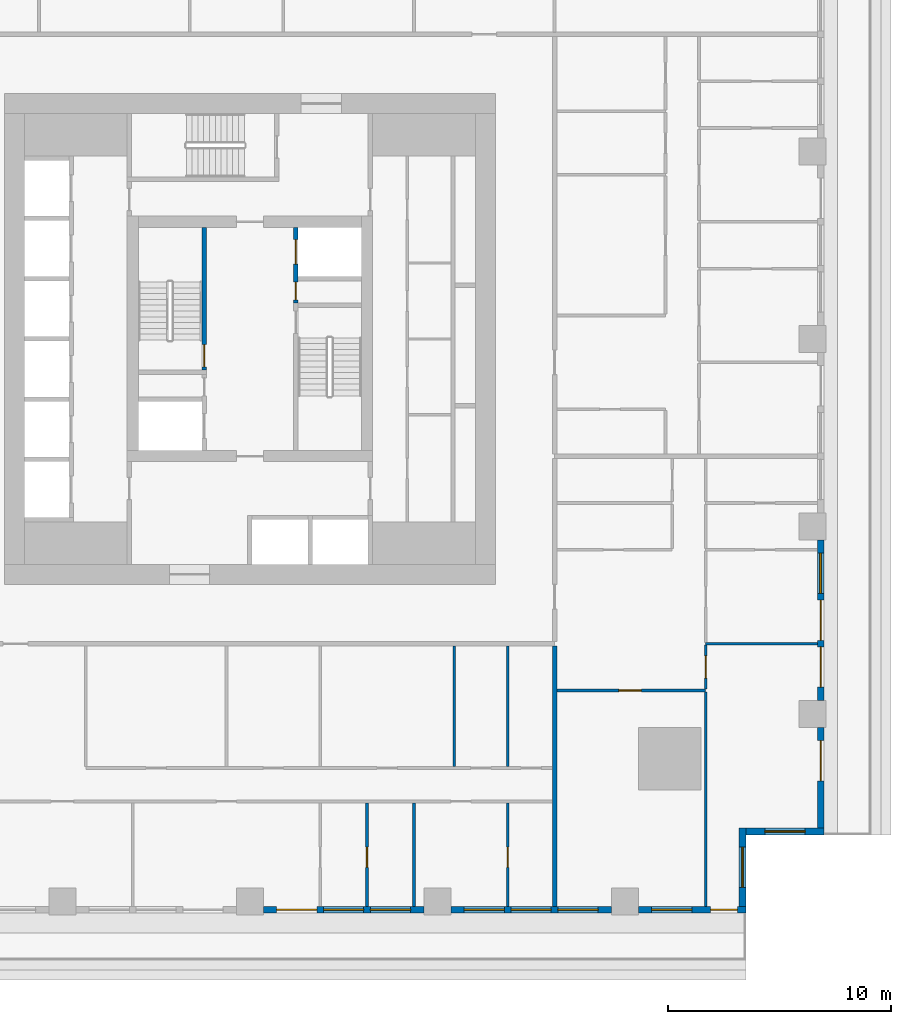
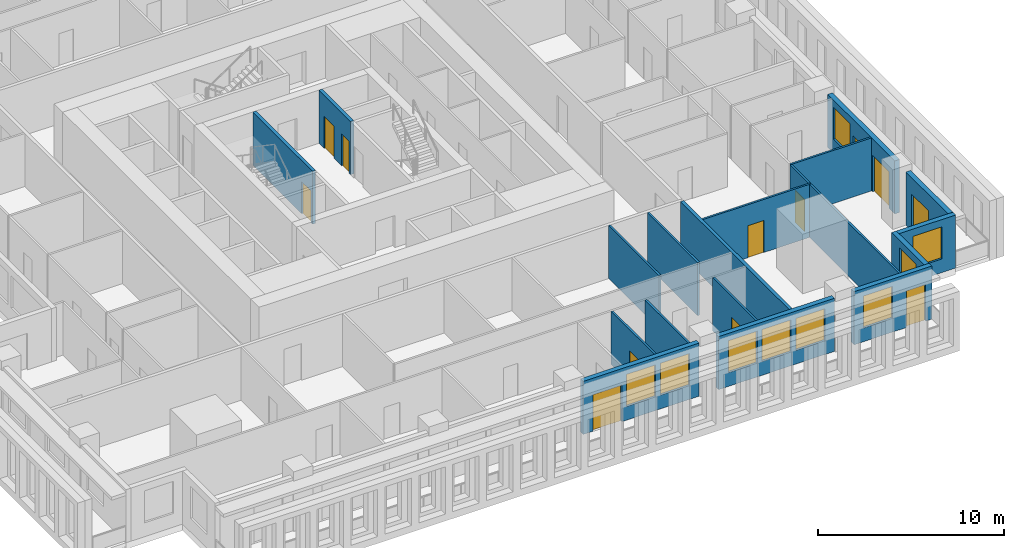
# One storey, part 4 of 14: 19 walls, 12 doors, 9 windows, 21 openings.
"""IFC4 building model written with IfcOpenShell, lengths in metres."""

from ifc_helpers import new_model, si_unit, direction, frame, frame_2d, origin, place, context, subcontext, project, spatial, rectangle, extrude, material, layer, layer_set, type_object, element, fill, save


model = new_model("IFC4")

# Units and contexts
model_context = context("Model", 3, precision=1e-05, world=origin(), true_north=direction((0.0, 1.0)))
body_context = subcontext(model_context, "Body", "Model", "MODEL_VIEW")
ifc_project = project(units=[si_unit("LENGTHUNIT", "METRE"), si_unit("AREAUNIT", "SQUARE_METRE"), si_unit("VOLUMEUNIT", "CUBIC_METRE"), si_unit("PLANEANGLEUNIT", "RADIAN"), si_unit("MASSUNIT", "GRAM", prefix="KILO")], contexts=[model_context])

# Site, building, storey
site_placement = place(None, origin())
site = spatial("IfcSite", under=ifc_project, at=site_placement, CompositionType="ELEMENT")
building_placement = place(site_placement, origin())
building = spatial("IfcBuilding", under=site, at=building_placement, Name="Khepri Terraces", CompositionType="ELEMENT")
storey_placement = place(building_placement, frame((0.0, 0.0, 87.0)))
storey = spatial("IfcBuildingStorey", under=building, at=storey_placement, Name="L20", CompositionType="ELEMENT", Elevation=87.0)

# Wall, opening, door
ifc_material_1 = material(Name="Concrete C70/85", Category="concrete")
ifc_layer_1 = layer(ifc_material_1, 0.199951171875, Name="Concrete C70/85", Category="concrete")
ifc_layer_set_1 = layer_set([ifc_layer_1], Name="Concrete C70/85")
wall_type_1 = type_object("IfcWallType", Name="Core wall 200 C70/85", PredefinedType="SHEAR", material=ifc_layer_set_1)
wall_1_placement = place(storey_placement, frame((-2.050048828125, -1.39990234375, 0.0), z_axis=(0.0, 0.0, 1.0), x_axis=(0.0, 1.0, 0.0)))
wall_1 = element("IfcWall", 1, at=wall_1_placement, inside=storey, type_object=wall_type_1, Name="Core wall ST03 L20", PredefinedType="SHEAR", context=body_context, shape_type="SweptSolid", body=[
    extrude(rectangle(XDim=6.39990234375, YDim=0.199951171875, at=frame_2d((3.199951171875, 0.0))), origin(), (0.0, 0.0, 1.0), 3.47998046875),
])
opening_1_placement = place(wall_1_placement, frame((0.14990234375, 0.0, 0.0)))
opening_1 = element("IfcOpeningElement", 2, at=opening_1_placement, cuts=wall_1, Name="Opening L20-C09", PredefinedType="OPENING", context=body_context, shape_type="SweptSolid", body=[
    extrude(rectangle(XDim=1.0, YDim=2.10009765625, at=frame_2d((0.5, 1.050048828125))), frame((0.0, 0.10986328125, 0.0), z_axis=(0.0, -1.0, 0.0), x_axis=(1.0, 0.0, 0.0)), (0.0, 0.0, 1.0), 0.219970703125),
])
ifc_material_2 = material(Name="Painted steel", Category="steel")
door_type_1 = type_object("IfcDoorType", Name="DR-CORE-STAIR-1000", OperationType="NOTDEFINED", PredefinedType="DOOR", material=ifc_material_2)
door_1_placement = place(opening_1_placement, origin())
door_1 = element("IfcDoor", 3, at=door_1_placement, inside=storey, type_object=door_type_1, Name="Stair door L20-C09", OperationType="SINGLE_SWING_LEFT", OverallHeight=2.10009765625, OverallWidth=1.0, PredefinedType="DOOR", context=body_context, shape_type="SweptSolid", body=[
    extrude(rectangle(XDim=1.0, YDim=2.10009765625, at=frame_2d((0.5, 1.050048828125))), frame((0.0, 0.02490234375, 0.0), z_axis=(0.0, -1.0, 0.0), x_axis=(1.0, 0.0, 0.0)), (0.0, 0.0, 1.0), 0.050048828125),
])
fill(opening_1, door_1)

# Wall, openings, doors
wall_2_placement = place(storey_placement, frame((2.050048828125, 1.60009765625, 0.0), z_axis=(0.0, 0.0, 1.0), x_axis=(0.0, 1.0, 0.0)))
wall_2 = element("IfcWall", 4, at=wall_2_placement, inside=storey, type_object=wall_type_1, Name="Core wall SH15 L20", PredefinedType="SHEAR", context=body_context, shape_type="SweptSolid", body=[
    extrude(rectangle(XDim=3.39990234375, YDim=0.199951171875, at=frame_2d((1.699951171875, 0.0))), origin(), (0.0, 0.0, 1.0), 3.47998046875),
])
opening_2_placement = place(wall_2_placement, frame((1.75, 0.0, 0.0)))
opening_2 = element("IfcOpeningElement", 5, at=opening_2_placement, cuts=wall_2, Name="Opening L20-C07", PredefinedType="OPENING", context=body_context, shape_type="SweptSolid", body=[
    extrude(rectangle(XDim=1.10009765625, YDim=2.10009765625, at=frame_2d((0.550048828125, 1.050048828125))), frame((0.0, 0.10986328125, 0.0), z_axis=(0.0, -1.0, 0.0), x_axis=(1.0, 0.0, 0.0)), (0.0, 0.0, 1.0), 0.219970703125),
])
opening_3_placement = place(wall_2_placement, frame((0.14990234375, 0.0, 0.0)))
opening_3 = element("IfcOpeningElement", 6, at=opening_3_placement, cuts=wall_2, Name="Opening L20-C11", PredefinedType="OPENING", context=body_context, shape_type="SweptSolid", body=[
    extrude(rectangle(XDim=0.800048828125, YDim=2.10009765625, at=frame_2d((0.39990234375, 1.050048828125))), frame((0.0, 0.10986328125, 0.0), z_axis=(0.0, -1.0, 0.0), x_axis=(1.0, 0.0, 0.0)), (0.0, 0.0, 1.0), 0.219970703125),
])
ifc_material_3 = material(Name="Stainless steel 304", Category="steel")
door_type_2 = type_object("IfcDoorType", Name="DR-CORE-FF-LANDING-1100", OperationType="NOTDEFINED", PredefinedType="DOOR", material=ifc_material_3)
door_2_placement = place(opening_2_placement, origin())
door_2 = element("IfcDoor", 7, at=door_2_placement, inside=storey, type_object=door_type_2, Name="Firefighting lift landing door L20-C07", OperationType="SLIDING_TO_LEFT", OverallHeight=2.10009765625, OverallWidth=1.10009765625, PredefinedType="DOOR", context=body_context, shape_type="SweptSolid", body=[
    extrude(rectangle(XDim=1.10009765625, YDim=2.10009765625, at=frame_2d((0.550048828125, 1.050048828125))), frame((0.0, 0.02490234375, 0.0), z_axis=(0.0, -1.0, 0.0), x_axis=(1.0, 0.0, 0.0)), (0.0, 0.0, 1.0), 0.050048828125),
])
fill(opening_2, door_2)
door_type_3 = type_object("IfcDoorType", Name="DR-CORE-RISER-800", OperationType="NOTDEFINED", PredefinedType="DOOR", material=ifc_material_2)
door_3_placement = place(opening_3_placement, frame((0.800048828125, 0.0, 0.0), z_axis=(0.0, 0.0, 1.0), x_axis=(-1.0, 0.0, 0.0)))
door_3 = element("IfcDoor", 8, at=door_3_placement, inside=storey, type_object=door_type_3, Name="Riser door L20-C11", OperationType="SINGLE_SWING_RIGHT", OverallHeight=2.10009765625, OverallWidth=0.800048828125, PredefinedType="DOOR", context=body_context, shape_type="SweptSolid", body=[
    extrude(rectangle(XDim=0.800048828125, YDim=2.10009765625, at=frame_2d((0.39990234375, 1.050048828125))), frame((0.0, 0.02490234375, 0.0), z_axis=(0.0, -1.0, 0.0), x_axis=(1.0, 0.0, 0.0)), (0.0, 0.0, 1.0), 0.050048828125),
])
fill(opening_3, door_3)

# Wall
ifc_material_4 = material(Name="Fire-rated gypsum plasterboard partition, mineral wool")
ifc_layer_2 = layer(ifc_material_4, 0.199951171875, Name="Fire-rated gypsum plasterboard partition, mineral wool")
ifc_layer_set_2 = layer_set([ifc_layer_2], Name="Fire-rated gypsum plasterboard partition, mineral wool")
wall_type_2 = type_object("IfcWallType", Name="WL-CORR-200", PredefinedType="PARTITIONING", material=ifc_layer_set_2)
wall_3_placement = place(storey_placement, frame((13.64990234375, -25.419921875, 0.0), z_axis=(0.0, 0.0, 1.0), x_axis=(0.0, 1.0, 0.0)))
element("IfcWall", 9, at=wall_3_placement, inside=storey, type_object=wall_type_2, Name="Partition P-007 L20", PredefinedType="PARTITIONING", context=body_context, shape_type="SweptSolid", body=[
    extrude(rectangle(XDim=11.669921875, YDim=0.199951171875, at=frame_2d((5.8349609375, 0.0))), origin(), (0.0, 0.0, 1.0), 3.47998046875),
])

# Wall, opening, window
ifc_material_5 = material(Name="Precast concrete C50/60 warm stone", Category="masonry")
ifc_layer_3 = layer(ifc_material_5, 0.300048828125, Name="Precast concrete C50/60 warm stone", Category="masonry")
ifc_layer_set_3 = layer_set([ifc_layer_3], Name="Precast concrete C50/60 warm stone")
wall_type_3 = type_object("IfcWallType", Name="WL-EXT-PRECAST-300", PredefinedType="STANDARD", material=ifc_layer_set_3)
wall_4_placement = place(storey_placement, frame((22.219970703125, -22.070068359375, 0.0), z_axis=(0.0, 0.0, 1.0), x_axis=(1.0, 0.0, 0.0)))
wall_4 = element("IfcWall", 10, at=wall_4_placement, inside=storey, type_object=wall_type_3, Name="External wall L20 S", PredefinedType="STANDARD", context=body_context, shape_type="SweptSolid", body=[
    extrude(rectangle(XDim=3.5, YDim=0.300048828125, at=frame_2d((1.75, 0.0))), origin(), (0.0, 0.0, 1.0), 3.47998046875),
])
opening_4_placement = place(wall_4_placement, frame((0.85009765625, 0.0, 0.89990234375)))
opening_4 = element("IfcOpeningElement", 11, at=opening_4_placement, cuts=wall_4, Name="Opening W1", PredefinedType="OPENING", context=body_context, shape_type="SweptSolid", body=[
    extrude(rectangle(XDim=1.800048828125, YDim=2.10009765625, at=frame_2d((0.89990234375, 1.050048828125))), frame((0.0, 0.16015625, 0.0), z_axis=(0.0, -1.0, 0.0), x_axis=(1.0, 0.0, 0.0)), (0.0, 0.0, 1.0), 0.320068359375),
])
ifc_material_6 = material(Name="Clear glass", Category="glass")
window_type = type_object("IfcWindowType", Name="WIN-RES-1800x2100", PartitioningType="SINGLE_PANEL", PredefinedType="WINDOW", material=ifc_material_6)
window_1_placement = place(opening_4_placement, origin())
window_1 = element("IfcWindow", 12, at=window_1_placement, inside=storey, type_object=window_type, Name="Window L20 S", OverallHeight=2.10009765625, OverallWidth=1.800048828125, PartitioningType="SINGLE_PANEL", PredefinedType="WINDOW", context=body_context, shape_type="SweptSolid", body=[
    extrude(rectangle(XDim=1.800048828125, YDim=2.10009765625, at=frame_2d((0.89990234375, 1.050048828125))), frame((0.0, 0.030029296875, 0.0), z_axis=(0.0, -1.0, 0.0), x_axis=(1.0, 0.0, 0.0)), (0.0, 0.0, 1.0), 0.06005859375),
])
fill(opening_4, window_1)

# Wall, opening, door
wall_5_placement = place(storey_placement, frame((25.570068359375, -21.919921875, 0.0), z_axis=(0.0, 0.0, 1.0), x_axis=(0.0, 1.0, 0.0)))
wall_5 = element("IfcWall", 13, at=wall_5_placement, inside=storey, type_object=wall_type_3, Name="External wall L20 E", PredefinedType="STANDARD", context=body_context, shape_type="SweptSolid", body=[
    extrude(rectangle(XDim=4.52001953125, YDim=0.300048828125, at=frame_2d((2.260009765625, 0.0))), origin(), (0.0, 0.0, 1.0), 3.47998046875),
])
opening_5_placement = place(wall_5_placement, frame((2.1201171875, 0.0, 0.0)))
opening_5 = element("IfcOpeningElement", 14, at=opening_5_placement, cuts=wall_5, Name="Opening ED-L20-01", PredefinedType="OPENING", context=body_context, shape_type="SweptSolid", body=[
    extrude(rectangle(XDim=1.800048828125, YDim=2.39990234375, at=frame_2d((0.89990234375, 1.199951171875))), frame((0.0, 0.16015625, 0.0), z_axis=(0.0, -1.0, 0.0), x_axis=(1.0, 0.0, 0.0)), (0.0, 0.0, 1.0), 0.320068359375),
])
ifc_material_7 = material(Name="Anodised aluminium bronze glazed door", Category="aluminium")
door_type_4 = type_object("IfcDoorType", Name="DR-BAL-SLIDE-1800x2400", OperationType="NOTDEFINED", PredefinedType="DOOR", material=ifc_material_7)
door_4_placement = place(opening_5_placement, origin())
door_4 = element("IfcDoor", 15, at=door_4_placement, inside=storey, type_object=door_type_4, Name="Balcony door L20 E", OperationType="SLIDING_TO_RIGHT", OverallHeight=2.39990234375, OverallWidth=1.800048828125, PredefinedType="DOOR", context=body_context, shape_type="SweptSolid", body=[
    extrude(rectangle(XDim=1.800048828125, YDim=2.39990234375, at=frame_2d((0.89990234375, 1.199951171875))), frame((0.0, 0.02490234375, 0.0), z_axis=(0.0, -1.0, 0.0), x_axis=(1.0, 0.0, 0.0)), (0.0, 0.0, 1.0), 0.050048828125),
])
fill(opening_5, door_4)

# Wall, openings, doors, window
wall_6_placement = place(storey_placement, frame((25.570068359375, -16.199951171875, 0.0), z_axis=(0.0, 0.0, 1.0), x_axis=(0.0, 1.0, 0.0)))
wall_6 = element("IfcWall", 16, at=wall_6_placement, inside=storey, type_object=wall_type_3, Name="External wall L20 E", PredefinedType="STANDARD", context=body_context, shape_type="SweptSolid", body=[
    extrude(rectangle(XDim=7.199951171875, YDim=0.300048828125, at=frame_2d((3.60009765625, 0.0))), origin(), (0.0, 0.0, 1.0), 3.47998046875),
])
opening_6_placement = place(wall_6_placement, frame((0.60009765625, 0.0, 0.0)))
opening_6 = element("IfcOpeningElement", 17, at=opening_6_placement, cuts=wall_6, Name="Opening ED-L20-02", PredefinedType="OPENING", context=body_context, shape_type="SweptSolid", body=[
    extrude(rectangle(XDim=1.800048828125, YDim=2.39990234375, at=frame_2d((0.89990234375, 1.199951171875))), frame((0.0, 0.16015625, 0.0), z_axis=(0.0, -1.0, 0.0), x_axis=(1.0, 0.0, 0.0)), (0.0, 0.0, 1.0), 0.320068359375),
])
opening_7_placement = place(wall_6_placement, frame((2.699951171875, 0.0, 0.0)))
opening_7 = element("IfcOpeningElement", 18, at=opening_7_placement, cuts=wall_6, Name="Opening ED-L20-03", PredefinedType="OPENING", context=body_context, shape_type="SweptSolid", body=[
    extrude(rectangle(XDim=1.800048828125, YDim=2.39990234375, at=frame_2d((0.89990234375, 1.199951171875))), frame((0.0, 0.16015625, 0.0), z_axis=(0.0, -1.0, 0.0), x_axis=(1.0, 0.0, 0.0)), (0.0, 0.0, 1.0), 0.320068359375),
])
opening_8_placement = place(wall_6_placement, frame((4.800048828125, 0.0, 0.89990234375)))
opening_8 = element("IfcOpeningElement", 19, at=opening_8_placement, cuts=wall_6, Name="Opening W1", PredefinedType="OPENING", context=body_context, shape_type="SweptSolid", body=[
    extrude(rectangle(XDim=1.800048828125, YDim=2.10009765625, at=frame_2d((0.89990234375, 1.050048828125))), frame((0.0, 0.16015625, 0.0), z_axis=(0.0, -1.0, 0.0), x_axis=(1.0, 0.0, 0.0)), (0.0, 0.0, 1.0), 0.320068359375),
])
door_5_placement = place(opening_6_placement, origin())
door_5 = element("IfcDoor", 20, at=door_5_placement, inside=storey, type_object=door_type_4, Name="Balcony door L20 E", OperationType="SLIDING_TO_LEFT", OverallHeight=2.39990234375, OverallWidth=1.800048828125, PredefinedType="DOOR", context=body_context, shape_type="SweptSolid", body=[
    extrude(rectangle(XDim=1.800048828125, YDim=2.39990234375, at=frame_2d((0.89990234375, 1.199951171875))), frame((0.0, 0.02490234375, 0.0), z_axis=(0.0, -1.0, 0.0), x_axis=(1.0, 0.0, 0.0)), (0.0, 0.0, 1.0), 0.050048828125),
])
fill(opening_6, door_5)
door_6_placement = place(opening_7_placement, origin())
door_6 = element("IfcDoor", 21, at=door_6_placement, inside=storey, type_object=door_type_4, Name="Balcony door L20 E", OperationType="SLIDING_TO_RIGHT", OverallHeight=2.39990234375, OverallWidth=1.800048828125, PredefinedType="DOOR", context=body_context, shape_type="SweptSolid", body=[
    extrude(rectangle(XDim=1.800048828125, YDim=2.39990234375, at=frame_2d((0.89990234375, 1.199951171875))), frame((0.0, 0.02490234375, 0.0), z_axis=(0.0, -1.0, 0.0), x_axis=(1.0, 0.0, 0.0)), (0.0, 0.0, 1.0), 0.050048828125),
])
fill(opening_7, door_6)
window_2_placement = place(opening_8_placement, origin())
window_2 = element("IfcWindow", 22, at=window_2_placement, inside=storey, type_object=window_type, Name="Window L20 E", OverallHeight=2.10009765625, OverallWidth=1.800048828125, PartitioningType="SINGLE_PANEL", PredefinedType="WINDOW", context=body_context, shape_type="SweptSolid", body=[
    extrude(rectangle(XDim=1.800048828125, YDim=2.10009765625, at=frame_2d((0.89990234375, 1.050048828125))), frame((0.0, 0.030029296875, 0.0), z_axis=(0.0, -1.0, 0.0), x_axis=(1.0, 0.0, 0.0)), (0.0, 0.0, 1.0), 0.06005859375),
])
fill(opening_8, window_2)

# Wall, openings, door, windows
wall_7_placement = place(storey_placement, frame((0.60009765625, -25.570068359375, 0.0), z_axis=(0.0, 0.0, 1.0), x_axis=(1.0, 0.0, 0.0)))
wall_7 = element("IfcWall", 23, at=wall_7_placement, inside=storey, type_object=wall_type_3, Name="External wall L20 S", PredefinedType="STANDARD", context=body_context, shape_type="SweptSolid", body=[
    extrude(rectangle(XDim=7.199951171875, YDim=0.300048828125, at=frame_2d((3.60009765625, 0.0))), origin(), (0.0, 0.0, 1.0), 3.47998046875),
])
opening_9_placement = place(wall_7_placement, frame((0.60009765625, 0.0, 0.0)))
opening_9 = element("IfcOpeningElement", 24, at=opening_9_placement, cuts=wall_7, Name="Opening ED-L20-23", PredefinedType="OPENING", context=body_context, shape_type="SweptSolid", body=[
    extrude(rectangle(XDim=1.800048828125, YDim=2.39990234375, at=frame_2d((0.89990234375, 1.199951171875))), frame((0.0, 0.16015625, 0.0), z_axis=(0.0, -1.0, 0.0), x_axis=(1.0, 0.0, 0.0)), (0.0, 0.0, 1.0), 0.320068359375),
])
opening_10_placement = place(wall_7_placement, frame((2.699951171875, 0.0, 0.89990234375)))
opening_10 = element("IfcOpeningElement", 25, at=opening_10_placement, cuts=wall_7, Name="Opening W1", PredefinedType="OPENING", context=body_context, shape_type="SweptSolid", body=[
    extrude(rectangle(XDim=1.800048828125, YDim=2.10009765625, at=frame_2d((0.89990234375, 1.050048828125))), frame((0.0, 0.16015625, 0.0), z_axis=(0.0, -1.0, 0.0), x_axis=(1.0, 0.0, 0.0)), (0.0, 0.0, 1.0), 0.320068359375),
])
opening_11_placement = place(wall_7_placement, frame((4.800048828125, 0.0, 0.89990234375)))
opening_11 = element("IfcOpeningElement", 26, at=opening_11_placement, cuts=wall_7, Name="Opening W1", PredefinedType="OPENING", context=body_context, shape_type="SweptSolid", body=[
    extrude(rectangle(XDim=1.800048828125, YDim=2.10009765625, at=frame_2d((0.89990234375, 1.050048828125))), frame((0.0, 0.16015625, 0.0), z_axis=(0.0, -1.0, 0.0), x_axis=(1.0, 0.0, 0.0)), (0.0, 0.0, 1.0), 0.320068359375),
])
door_7_placement = place(opening_9_placement, origin())
door_7 = element("IfcDoor", 27, at=door_7_placement, inside=storey, type_object=door_type_4, Name="Balcony door L20 S", OperationType="SLIDING_TO_LEFT", OverallHeight=2.39990234375, OverallWidth=1.800048828125, PredefinedType="DOOR", context=body_context, shape_type="SweptSolid", body=[
    extrude(rectangle(XDim=1.800048828125, YDim=2.39990234375, at=frame_2d((0.89990234375, 1.199951171875))), frame((0.0, 0.02490234375, 0.0), z_axis=(0.0, -1.0, 0.0), x_axis=(1.0, 0.0, 0.0)), (0.0, 0.0, 1.0), 0.050048828125),
])
fill(opening_9, door_7)
window_3_placement = place(opening_10_placement, origin())
window_3 = element("IfcWindow", 28, at=window_3_placement, inside=storey, type_object=window_type, Name="Window L20 S", OverallHeight=2.10009765625, OverallWidth=1.800048828125, PartitioningType="SINGLE_PANEL", PredefinedType="WINDOW", context=body_context, shape_type="SweptSolid", body=[
    extrude(rectangle(XDim=1.800048828125, YDim=2.10009765625, at=frame_2d((0.89990234375, 1.050048828125))), frame((0.0, 0.030029296875, 0.0), z_axis=(0.0, -1.0, 0.0), x_axis=(1.0, 0.0, 0.0)), (0.0, 0.0, 1.0), 0.06005859375),
])
fill(opening_10, window_3)
window_4_placement = place(opening_11_placement, origin())
window_4 = element("IfcWindow", 29, at=window_4_placement, inside=storey, type_object=window_type, Name="Window L20 S", OverallHeight=2.10009765625, OverallWidth=1.800048828125, PartitioningType="SINGLE_PANEL", PredefinedType="WINDOW", context=body_context, shape_type="SweptSolid", body=[
    extrude(rectangle(XDim=1.800048828125, YDim=2.10009765625, at=frame_2d((0.89990234375, 1.050048828125))), frame((0.0, 0.030029296875, 0.0), z_axis=(0.0, -1.0, 0.0), x_axis=(1.0, 0.0, 0.0)), (0.0, 0.0, 1.0), 0.06005859375),
])
fill(opening_11, window_4)

# Wall, openings, windows
wall_8_placement = place(storey_placement, frame((9.0, -25.570068359375, 0.0), z_axis=(0.0, 0.0, 1.0), x_axis=(1.0, 0.0, 0.0)))
wall_8 = element("IfcWall", 30, at=wall_8_placement, inside=storey, type_object=wall_type_3, Name="External wall L20 S", PredefinedType="STANDARD", context=body_context, shape_type="SweptSolid", body=[
    extrude(rectangle(XDim=7.199951171875, YDim=0.300048828125, at=frame_2d((3.60009765625, 0.0))), origin(), (0.0, 0.0, 1.0), 3.47998046875),
])
opening_12_placement = place(wall_8_placement, frame((0.60009765625, 0.0, 0.89990234375)))
opening_12 = element("IfcOpeningElement", 31, at=opening_12_placement, cuts=wall_8, Name="Opening W1", PredefinedType="OPENING", context=body_context, shape_type="SweptSolid", body=[
    extrude(rectangle(XDim=1.800048828125, YDim=2.10009765625, at=frame_2d((0.89990234375, 1.050048828125))), frame((0.0, 0.16015625, 0.0), z_axis=(0.0, -1.0, 0.0), x_axis=(1.0, 0.0, 0.0)), (0.0, 0.0, 1.0), 0.320068359375),
])
opening_13_placement = place(wall_8_placement, frame((2.699951171875, 0.0, 0.89990234375)))
opening_13 = element("IfcOpeningElement", 32, at=opening_13_placement, cuts=wall_8, Name="Opening W1", PredefinedType="OPENING", context=body_context, shape_type="SweptSolid", body=[
    extrude(rectangle(XDim=1.800048828125, YDim=2.10009765625, at=frame_2d((0.89990234375, 1.050048828125))), frame((0.0, 0.16015625, 0.0), z_axis=(0.0, -1.0, 0.0), x_axis=(1.0, 0.0, 0.0)), (0.0, 0.0, 1.0), 0.320068359375),
])
opening_14_placement = place(wall_8_placement, frame((4.800048828125, 0.0, 0.89990234375)))
opening_14 = element("IfcOpeningElement", 33, at=opening_14_placement, cuts=wall_8, Name="Opening W1", PredefinedType="OPENING", context=body_context, shape_type="SweptSolid", body=[
    extrude(rectangle(XDim=1.800048828125, YDim=2.10009765625, at=frame_2d((0.89990234375, 1.050048828125))), frame((0.0, 0.16015625, 0.0), z_axis=(0.0, -1.0, 0.0), x_axis=(1.0, 0.0, 0.0)), (0.0, 0.0, 1.0), 0.320068359375),
])
window_5_placement = place(opening_12_placement, origin())
window_5 = element("IfcWindow", 34, at=window_5_placement, inside=storey, type_object=window_type, Name="Window L20 S", OverallHeight=2.10009765625, OverallWidth=1.800048828125, PartitioningType="SINGLE_PANEL", PredefinedType="WINDOW", context=body_context, shape_type="SweptSolid", body=[
    extrude(rectangle(XDim=1.800048828125, YDim=2.10009765625, at=frame_2d((0.89990234375, 1.050048828125))), frame((0.0, 0.030029296875, 0.0), z_axis=(0.0, -1.0, 0.0), x_axis=(1.0, 0.0, 0.0)), (0.0, 0.0, 1.0), 0.06005859375),
])
fill(opening_12, window_5)
window_6_placement = place(opening_13_placement, origin())
window_6 = element("IfcWindow", 35, at=window_6_placement, inside=storey, type_object=window_type, Name="Window L20 S", OverallHeight=2.10009765625, OverallWidth=1.800048828125, PartitioningType="SINGLE_PANEL", PredefinedType="WINDOW", context=body_context, shape_type="SweptSolid", body=[
    extrude(rectangle(XDim=1.800048828125, YDim=2.10009765625, at=frame_2d((0.89990234375, 1.050048828125))), frame((0.0, 0.030029296875, 0.0), z_axis=(0.0, -1.0, 0.0), x_axis=(1.0, 0.0, 0.0)), (0.0, 0.0, 1.0), 0.06005859375),
])
fill(opening_13, window_6)
window_7_placement = place(opening_14_placement, origin())
window_7 = element("IfcWindow", 36, at=window_7_placement, inside=storey, type_object=window_type, Name="Window L20 S", OverallHeight=2.10009765625, OverallWidth=1.800048828125, PartitioningType="SINGLE_PANEL", PredefinedType="WINDOW", context=body_context, shape_type="SweptSolid", body=[
    extrude(rectangle(XDim=1.800048828125, YDim=2.10009765625, at=frame_2d((0.89990234375, 1.050048828125))), frame((0.0, 0.030029296875, 0.0), z_axis=(0.0, -1.0, 0.0), x_axis=(1.0, 0.0, 0.0)), (0.0, 0.0, 1.0), 0.06005859375),
])
fill(opening_14, window_7)

# Wall, openings, door, window
wall_9_placement = place(storey_placement, frame((17.39990234375, -25.570068359375, 0.0), z_axis=(0.0, 0.0, 1.0), x_axis=(1.0, 0.0, 0.0)))
wall_9 = element("IfcWall", 37, at=wall_9_placement, inside=storey, type_object=wall_type_3, Name="External wall L20 S", PredefinedType="STANDARD", context=body_context, shape_type="SweptSolid", body=[
    extrude(rectangle(XDim=4.820068359375, YDim=0.300048828125, at=frame_2d((2.41015625, 0.0))), origin(), (0.0, 0.0, 1.0), 3.47998046875),
])
opening_15_placement = place(wall_9_placement, frame((0.60009765625, 0.0, 0.89990234375)))
opening_15 = element("IfcOpeningElement", 38, at=opening_15_placement, cuts=wall_9, Name="Opening W1", PredefinedType="OPENING", context=body_context, shape_type="SweptSolid", body=[
    extrude(rectangle(XDim=1.800048828125, YDim=2.10009765625, at=frame_2d((0.89990234375, 1.050048828125))), frame((0.0, 0.16015625, 0.0), z_axis=(0.0, -1.0, 0.0), x_axis=(1.0, 0.0, 0.0)), (0.0, 0.0, 1.0), 0.320068359375),
])
opening_16_placement = place(wall_9_placement, frame((3.2451171875, 0.0, 0.0)))
opening_16 = element("IfcOpeningElement", 39, at=opening_16_placement, cuts=wall_9, Name="Opening ED-L20-24", PredefinedType="OPENING", context=body_context, shape_type="SweptSolid", body=[
    extrude(rectangle(XDim=1.199951171875, YDim=2.39990234375, at=frame_2d((0.60009765625, 1.199951171875))), frame((0.0, 0.16015625, 0.0), z_axis=(0.0, -1.0, 0.0), x_axis=(1.0, 0.0, 0.0)), (0.0, 0.0, 1.0), 0.320068359375),
])
door_type_5 = type_object("IfcDoorType", Name="DR-BAL-SLIDE-1200x2400", OperationType="NOTDEFINED", PredefinedType="DOOR", material=ifc_material_7)
door_8_placement = place(opening_16_placement, origin())
door_8 = element("IfcDoor", 40, at=door_8_placement, inside=storey, type_object=door_type_5, Name="Balcony door L20 S", OperationType="SLIDING_TO_RIGHT", OverallHeight=2.39990234375, OverallWidth=1.199951171875, PredefinedType="DOOR", context=body_context, shape_type="SweptSolid", body=[
    extrude(rectangle(XDim=1.199951171875, YDim=2.39990234375, at=frame_2d((0.60009765625, 1.199951171875))), frame((0.0, 0.02490234375, 0.0), z_axis=(0.0, -1.0, 0.0), x_axis=(1.0, 0.0, 0.0)), (0.0, 0.0, 1.0), 0.050048828125),
])
fill(opening_16, door_8)
window_8_placement = place(opening_15_placement, origin())
window_8 = element("IfcWindow", 41, at=window_8_placement, inside=storey, type_object=window_type, Name="Window L20 S", OverallHeight=2.10009765625, OverallWidth=1.800048828125, PartitioningType="SINGLE_PANEL", PredefinedType="WINDOW", context=body_context, shape_type="SweptSolid", body=[
    extrude(rectangle(XDim=1.800048828125, YDim=2.10009765625, at=frame_2d((0.89990234375, 1.050048828125))), frame((0.0, 0.030029296875, 0.0), z_axis=(0.0, -1.0, 0.0), x_axis=(1.0, 0.0, 0.0)), (0.0, 0.0, 1.0), 0.06005859375),
])
fill(opening_15, window_8)

# Wall, opening, window
wall_10_placement = place(storey_placement, frame((22.070068359375, -25.419921875, 0.0), z_axis=(0.0, 0.0, 1.0), x_axis=(0.0, 1.0, 0.0)))
wall_10 = element("IfcWall", 42, at=wall_10_placement, inside=storey, type_object=wall_type_3, Name="External wall L20 E", PredefinedType="STANDARD", context=body_context, shape_type="SweptSolid", body=[
    extrude(rectangle(XDim=3.5, YDim=0.300048828125, at=frame_2d((1.75, 0.0))), origin(), (0.0, 0.0, 1.0), 3.47998046875),
])
opening_17_placement = place(wall_10_placement, frame((0.85009765625, 0.0, 0.89990234375)))
opening_17 = element("IfcOpeningElement", 43, at=opening_17_placement, cuts=wall_10, Name="Opening W1", PredefinedType="OPENING", context=body_context, shape_type="SweptSolid", body=[
    extrude(rectangle(XDim=1.800048828125, YDim=2.10009765625, at=frame_2d((0.89990234375, 1.050048828125))), frame((0.0, 0.16015625, 0.0), z_axis=(0.0, -1.0, 0.0), x_axis=(1.0, 0.0, 0.0)), (0.0, 0.0, 1.0), 0.320068359375),
])
window_9_placement = place(opening_17_placement, origin())
window_9 = element("IfcWindow", 44, at=window_9_placement, inside=storey, type_object=window_type, Name="Window L20 E", OverallHeight=2.10009765625, OverallWidth=1.800048828125, PartitioningType="SINGLE_PANEL", PredefinedType="WINDOW", context=body_context, shape_type="SweptSolid", body=[
    extrude(rectangle(XDim=1.800048828125, YDim=2.10009765625, at=frame_2d((0.89990234375, 1.050048828125))), frame((0.0, 0.030029296875, 0.0), z_axis=(0.0, -1.0, 0.0), x_axis=(1.0, 0.0, 0.0)), (0.0, 0.0, 1.0), 0.06005859375),
])
fill(opening_17, window_9)

# Wall, opening, door
ifc_material_8 = material(Name="Gypsum plasterboard partition")
ifc_layer_4 = layer(ifc_material_8, 0.1201171875, Name="Gypsum plasterboard partition")
ifc_layer_set_4 = layer_set([ifc_layer_4], Name="Gypsum plasterboard partition")
wall_type_4 = type_object("IfcWallType", Name="WL-PART-120", PredefinedType="PARTITIONING", material=ifc_layer_set_4)
wall_11_placement = place(storey_placement, frame((5.25, -25.419921875, 0.0), z_axis=(0.0, 0.0, 1.0), x_axis=(0.0, 1.0, 0.0)))
wall_11 = element("IfcWall", 45, at=wall_11_placement, inside=storey, type_object=wall_type_4, Name="Partition P-004 L20", PredefinedType="PARTITIONING", context=body_context, shape_type="SweptSolid", body=[
    extrude(rectangle(XDim=4.639892578125, YDim=0.1201171875, at=frame_2d((2.31982421875, 0.0))), origin(), (0.0, 0.0, 1.0), 3.47998046875),
])
opening_18_placement = place(wall_11_placement, frame((1.75, 0.0, 0.0)))
opening_18 = element("IfcOpeningElement", 46, at=opening_18_placement, cuts=wall_11, Name="Opening D4", PredefinedType="OPENING", context=body_context, shape_type="SweptSolid", body=[
    extrude(rectangle(XDim=0.89990234375, YDim=2.10009765625, at=frame_2d((0.449951171875, 1.050048828125))), frame((0.0, 0.070068359375, 0.0), z_axis=(0.0, -1.0, 0.0), x_axis=(1.0, 0.0, 0.0)), (0.0, 0.0, 1.0), 0.14013671875),
])
ifc_material_9 = material(Name="Timber door leaf, moisture resistant", Category="wood")
door_type_6 = type_object("IfcDoorType", Name="DR-WET-900", OperationType="NOTDEFINED", PredefinedType="DOOR", material=ifc_material_9)
door_9_placement = place(opening_18_placement, frame((0.89990234375, 0.0, 0.0), z_axis=(0.0, 0.0, 1.0), x_axis=(-1.0, 0.0, 0.0)))
door_9 = element("IfcDoor", 47, at=door_9_placement, inside=storey, type_object=door_type_6, Name="Door Bathroom", OperationType="SINGLE_SWING_RIGHT", OverallHeight=2.10009765625, OverallWidth=0.89990234375, PredefinedType="DOOR", context=body_context, shape_type="SweptSolid", body=[
    extrude(rectangle(XDim=0.89990234375, YDim=2.10009765625, at=frame_2d((0.449951171875, 1.050048828125))), frame((0.0, 0.02490234375, 0.0), z_axis=(0.0, -1.0, 0.0), x_axis=(1.0, 0.0, 0.0)), (0.0, 0.0, 1.0), 0.050048828125),
])
fill(opening_18, door_9)

# Wall
wall_12_placement = place(storey_placement, frame((7.35009765625, -25.419921875, 0.0), z_axis=(0.0, 0.0, 1.0), x_axis=(0.0, 1.0, 0.0)))
element("IfcWall", 48, at=wall_12_placement, inside=storey, type_object=wall_type_4, Name="Partition P-005 L20", PredefinedType="PARTITIONING", context=body_context, shape_type="SweptSolid", body=[
    extrude(rectangle(XDim=4.639892578125, YDim=0.1201171875, at=frame_2d((2.31982421875, 0.0))), origin(), (0.0, 0.0, 1.0), 3.47998046875),
])

# Wall, opening, door
wall_13_placement = place(storey_placement, frame((11.550048828125, -25.419921875, 0.0), z_axis=(0.0, 0.0, 1.0), x_axis=(0.0, 1.0, 0.0)))
wall_13 = element("IfcWall", 49, at=wall_13_placement, inside=storey, type_object=wall_type_4, Name="Partition P-006 L20", PredefinedType="PARTITIONING", context=body_context, shape_type="SweptSolid", body=[
    extrude(rectangle(XDim=4.639892578125, YDim=0.1201171875, at=frame_2d((2.31982421875, 0.0))), origin(), (0.0, 0.0, 1.0), 3.47998046875),
])
opening_19_placement = place(wall_13_placement, frame((1.75, 0.0, 0.0)))
opening_19 = element("IfcOpeningElement", 50, at=opening_19_placement, cuts=wall_13, Name="Opening D4", PredefinedType="OPENING", context=body_context, shape_type="SweptSolid", body=[
    extrude(rectangle(XDim=0.89990234375, YDim=2.10009765625, at=frame_2d((0.449951171875, 1.050048828125))), frame((0.0, 0.070068359375, 0.0), z_axis=(0.0, -1.0, 0.0), x_axis=(1.0, 0.0, 0.0)), (0.0, 0.0, 1.0), 0.14013671875),
])
door_10_placement = place(opening_19_placement, frame((0.89990234375, 0.0, 0.0), z_axis=(0.0, 0.0, 1.0), x_axis=(-1.0, 0.0, 0.0)))
door_10 = element("IfcDoor", 51, at=door_10_placement, inside=storey, type_object=door_type_6, Name="Door Bathroom", OperationType="SINGLE_SWING_RIGHT", OverallHeight=2.10009765625, OverallWidth=0.89990234375, PredefinedType="DOOR", context=body_context, shape_type="SweptSolid", body=[
    extrude(rectangle(XDim=0.89990234375, YDim=2.10009765625, at=frame_2d((0.449951171875, 1.050048828125))), frame((0.0, 0.02490234375, 0.0), z_axis=(0.0, -1.0, 0.0), x_axis=(1.0, 0.0, 0.0)), (0.0, 0.0, 1.0), 0.050048828125),
])
fill(opening_19, door_10)

# Walls
wall_14_placement = place(storey_placement, frame((20.419921875, -25.419921875, 0.0), z_axis=(0.0, 0.0, 1.0), x_axis=(0.0, 1.0, 0.0)))
element("IfcWall", 52, at=wall_14_placement, inside=storey, type_object=wall_type_4, Name="Partition P-008 L20", PredefinedType="PARTITIONING", context=body_context, shape_type="SweptSolid", body=[
    extrude(rectangle(XDim=9.60986328125, YDim=0.1201171875, at=frame_2d((4.804931640625, 0.0))), origin(), (0.0, 0.0, 1.0), 3.47998046875),
])
for number, where, z_axis, x_axis, name in (
    (53, (9.14990234375, -19.159912109375, 0.0), (0.0, 0.0, 1.0), (0.0, 1.0, 0.0), "Partition P-015 L20"),
    (54, (11.550048828125, -19.159912109375, 0.0), (0.0, 0.0, 1.0), (0.0, 1.0, 0.0), "Partition P-016 L20"),
):
    element("IfcWall", number, at=place(storey_placement, frame(where, z_axis=z_axis, x_axis=x_axis)), inside=storey, type_object=wall_type_4, Name=name, PredefinedType="PARTITIONING", context=body_context, shape_type="SweptSolid", body=[
        extrude(rectangle(XDim=5.409912109375, YDim=0.1201171875, at=frame_2d((2.705078125, 0.0))), origin(), (0.0, 0.0, 1.0), 3.47998046875),
    ])

# Wall, opening, door
wall_15_placement = place(storey_placement, frame((13.75, -15.75, 0.0), z_axis=(0.0, 0.0, 1.0), x_axis=(1.0, 0.0, 0.0)))
wall_15 = element("IfcWall", 55, at=wall_15_placement, inside=storey, type_object=wall_type_4, Name="Partition P-017 L20", PredefinedType="PARTITIONING", context=body_context, shape_type="SweptSolid", body=[
    extrude(rectangle(XDim=6.669921875, YDim=0.1201171875, at=frame_2d((3.3349609375, 0.0))), origin(), (0.0, 0.0, 1.0), 3.47998046875),
])
opening_20_placement = place(wall_15_placement, frame((2.784912109375, 0.0, 0.0)))
opening_20 = element("IfcOpeningElement", 56, at=opening_20_placement, cuts=wall_15, Name="Opening D2", PredefinedType="OPENING", context=body_context, shape_type="SweptSolid", body=[
    extrude(rectangle(XDim=1.0, YDim=2.10009765625, at=frame_2d((0.5, 1.050048828125))), frame((0.0, 0.070068359375, 0.0), z_axis=(0.0, -1.0, 0.0), x_axis=(1.0, 0.0, 0.0)), (0.0, 0.0, 1.0), 0.14013671875),
])
ifc_material_10 = material(Name="Timber door leaf, living room door", Category="wood")
door_type_7 = type_object("IfcDoorType", Name="DR-INT-1000", OperationType="NOTDEFINED", PredefinedType="DOOR", material=ifc_material_10)
door_11_placement = place(opening_20_placement, frame((1.0, 0.0, 0.0), z_axis=(0.0, 0.0, 1.0), x_axis=(-1.0, 0.0, 0.0)))
door_11 = element("IfcDoor", 57, at=door_11_placement, inside=storey, type_object=door_type_7, Name="Door Family Room", OperationType="SINGLE_SWING_RIGHT", OverallHeight=2.10009765625, OverallWidth=1.0, PredefinedType="DOOR", context=body_context, shape_type="SweptSolid", body=[
    extrude(rectangle(XDim=1.0, YDim=2.10009765625, at=frame_2d((0.5, 1.050048828125))), frame((0.0, 0.02490234375, 0.0), z_axis=(0.0, -1.0, 0.0), x_axis=(1.0, 0.0, 0.0)), (0.0, 0.0, 1.0), 0.050048828125),
])
fill(opening_20, door_11)

wall_16_placement = place(storey_placement, frame((20.419921875, -15.68994140625, 0.0), z_axis=(0.0, 0.0, 1.0), x_axis=(0.0, 1.0, 0.0)))
wall_16 = element("IfcWall", 58, at=wall_16_placement, inside=storey, type_object=wall_type_4, Name="Partition P-018 L20", PredefinedType="PARTITIONING", context=body_context, shape_type="SweptSolid", body=[
    extrude(rectangle(XDim=1.97998046875, YDim=0.1201171875, at=frame_2d((0.989990234375, 0.0))), origin(), (0.0, 0.0, 1.0), 3.47998046875),
])
opening_21_placement = place(wall_16_placement, frame((0.489990234375, 0.0, 0.0)))
opening_21 = element("IfcOpeningElement", 59, at=opening_21_placement, cuts=wall_16, Name="Opening D2", PredefinedType="OPENING", context=body_context, shape_type="SweptSolid", body=[
    extrude(rectangle(XDim=1.0, YDim=2.10009765625, at=frame_2d((0.5, 1.050048828125))), frame((0.0, 0.070068359375, 0.0), z_axis=(0.0, -1.0, 0.0), x_axis=(1.0, 0.0, 0.0)), (0.0, 0.0, 1.0), 0.14013671875),
])
door_12_placement = place(opening_21_placement, frame((1.0, 0.0, 0.0), z_axis=(0.0, 0.0, 1.0), x_axis=(-1.0, 0.0, 0.0)))
door_12 = element("IfcDoor", 60, at=door_12_placement, inside=storey, type_object=door_type_7, Name="Door Living Room", OperationType="SINGLE_SWING_LEFT", OverallHeight=2.10009765625, OverallWidth=1.0, PredefinedType="DOOR", context=body_context, shape_type="SweptSolid", body=[
    extrude(rectangle(XDim=1.0, YDim=2.10009765625, at=frame_2d((0.5, 1.050048828125))), frame((0.0, 0.02490234375, 0.0), z_axis=(0.0, -1.0, 0.0), x_axis=(1.0, 0.0, 0.0)), (0.0, 0.0, 1.0), 0.050048828125),
])
fill(opening_21, door_12)

# Wall
wall_17_placement = place(storey_placement, frame((20.419921875, -13.64990234375, 0.0), z_axis=(0.0, 0.0, 1.0), x_axis=(1.0, 0.0, 0.0)))
element("IfcWall", 61, at=wall_17_placement, inside=storey, type_object=wall_type_4, Name="Partition P-020 L20", PredefinedType="PARTITIONING", context=body_context, shape_type="SweptSolid", body=[
    extrude(rectangle(XDim=5.0, YDim=0.1201171875, at=frame_2d((2.5, 0.0))), origin(), (0.0, 0.0, 1.0), 3.47998046875),
])

save(model, "model.ifc")
